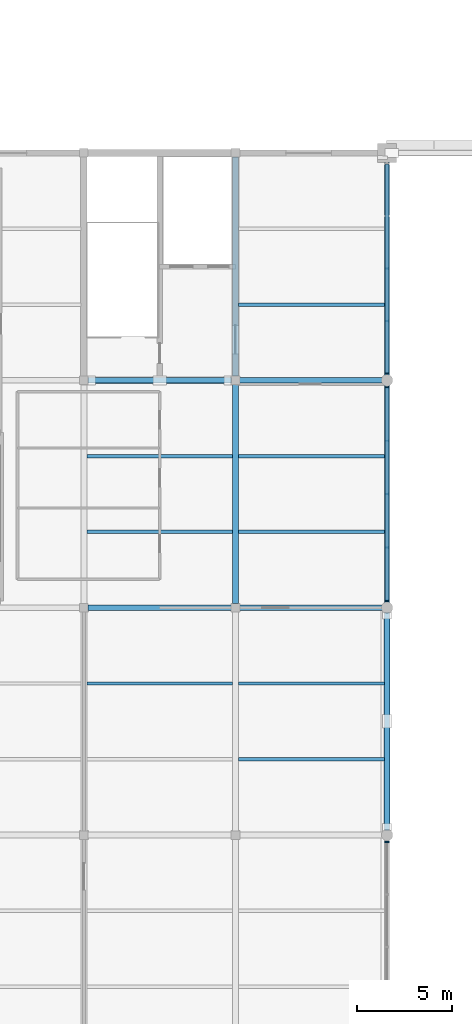
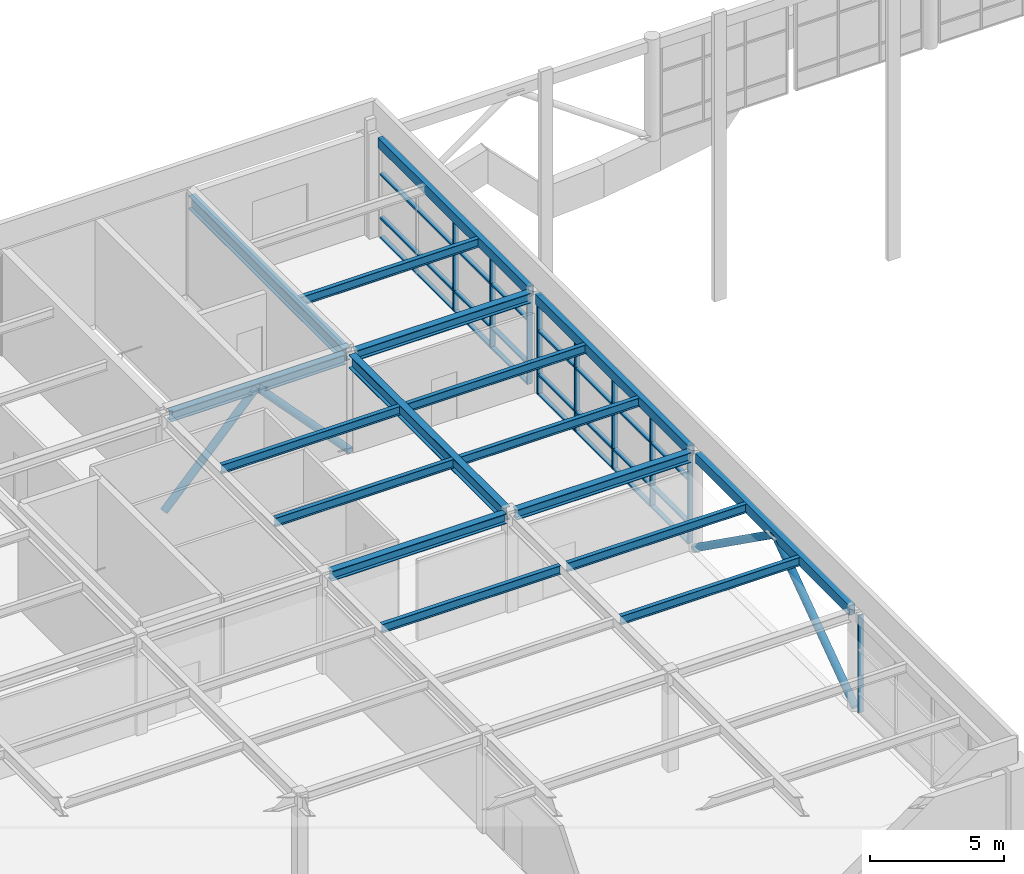
# One storey, part 16 of 63: 21 members, 17 beams, 3 elements without a shape of their own.
"""IFC4 building model written with IfcOpenShell, lengths in metres."""

from ifc_helpers import new_model, si_unit, direction, frame, origin, origin_2d, place, context, subcontext, project, spatial, rectangle, hollow_rectangle, hollow_circle, i_section, extrude, material, layer, layer_set, material_profile, profile_set, type_object, element, aggregate, save


model = new_model("IFC4")

# Units and contexts
model_context = context("Model", 3, precision=1e-05, world=origin(), true_north=direction((0.0, 1.0)))
body_context = subcontext(model_context, "Body", "Model", "MODEL_VIEW")
ifc_project = project(units=[si_unit("LENGTHUNIT", "METRE"), si_unit("AREAUNIT", "SQUARE_METRE"), si_unit("VOLUMEUNIT", "CUBIC_METRE"), si_unit("PLANEANGLEUNIT", "RADIAN"), si_unit("MASSUNIT", "GRAM", prefix="KILO")], contexts=[model_context])

# Site, building, storey
site_placement = place(None, origin())
site = spatial("IfcSite", under=ifc_project, at=site_placement, CompositionType="ELEMENT")
building_placement = place(site_placement, origin())
building = spatial("IfcBuilding", under=site, at=building_placement, Name="Keelwater Ferry Terminal", CompositionType="ELEMENT")
storey_placement = place(building_placement, frame((0.0, 0.0, 10.199951171875)))
storey = spatial("IfcBuildingStorey", under=building, at=storey_placement, Name="L02", CompositionType="ELEMENT", Elevation=10.199951171875)

# Members
ifc_material_1 = material(Name="Steel S355", Category="steel")
ifc_material_profile_1 = material_profile(ifc_material_1, hollow_circle(Radius=0.161865234375, WallThickness=0.012451171875, at=origin_2d()), Name="CHS 323.9x12.5")
ifc_profile_set_1 = profile_set([ifc_material_profile_1], Name="Steel S355")
member_type_1 = type_object("IfcMemberType", Name="BR1 CHS 323.9x12.5", PredefinedType="BRACE", material=ifc_profile_set_1)
for number, where, z_axis, x_axis, name in (
    (1, (32.0, 78.0, 0.0), (0.683655146647, 0.0, 0.729805207205), (0.0, 1.0, 0.0), "Structural Member MB-L02-0541"),
    (2, (40.0, 78.0, 0.0), (-0.683655146647, 0.0, 0.729805207205), (0.0, -1.0, 0.0), "Structural Member MB-L02-0542"),
):
    element("IfcMember", number, at=place(storey_placement, frame(where, z_axis=z_axis, x_axis=x_axis)), inside=storey, type_object=member_type_1, Name=name, PredefinedType="BRACE", context=body_context, shape_type="SweptSolid", body=[
        extrude(hollow_circle(Radius=0.161865234375, WallThickness=0.012451171875, at=origin_2d()), origin(), (0.0, 0.0, 1.0), 5.850830078125),
    ])
for number, where, z_axis, x_axis, name in (
    (3, (48.0, 54.0, 0.0), (0.0, 0.814740243451, 0.579826125405), (-1.0, 0.0, 0.0), "Structural Member MB-L02-0553"),
    (4, (48.0, 66.0, 0.0), (0.0, -0.814740243451, 0.579826125405), (1.0, 0.0, 0.0), "Structural Member MB-L02-0554"),
):
    element("IfcMember", number, at=place(storey_placement, frame(where, z_axis=z_axis, x_axis=x_axis)), inside=storey, type_object=member_type_1, Name=name, PredefinedType="BRACE", context=body_context, shape_type="SweptSolid", body=[
        extrude(hollow_circle(Radius=0.161865234375, WallThickness=0.012451171875, at=origin_2d()), origin(), (0.0, 0.0, 1.0), 7.3642578125),
    ])

# Curtain wall, member
ifc_material_2 = material(Name="Thermally broken unitised aluminium and triple glass", Category="aluminium")
ifc_layer_1 = layer(ifc_material_2, 0.179931640625)
ifc_layer_set_1 = layer_set([ifc_layer_1], Name="Thermally broken unitised aluminium and triple glass")
curtain_wall_type_1 = type_object("IfcCurtainWallType", Name="CW-14 Unitised Curtain Wall 11050x4450", PredefinedType="USERDEFINED", material=ifc_layer_set_1)
curtain_wall_1_placement = place(storey_placement, origin())
curtain_wall_1 = element("IfcCurtainWall", 5, at=curtain_wall_1_placement, inside=storey, type_object=curtain_wall_type_1, Name="Unitised Curtain Wall CW-L02-071", ObjectType="UNITISED CURTAIN WALL", PredefinedType="USERDEFINED")
ifc_material_3 = material(Name="Aluminium mullion", Category="aluminium")
ifc_material_profile_2 = material_profile(ifc_material_3, rectangle(XDim=0.074951171875, YDim=0.219970703125, at=origin_2d()), Name="CWM-02")
ifc_profile_set_2 = profile_set([ifc_material_profile_2], Name="Aluminium mullion")
member_type_2 = type_object("IfcMemberType", Name="CWM-02 Curtain Mullion 75x220", PredefinedType="MULLION", material=ifc_profile_set_2)
member_1_placement = place(storey_placement, frame((48.0, 53.625, 0.0), z_axis=(0.0, 0.0, 1.0), x_axis=(0.0, 1.0, 0.0)))
member_1 = element("IfcMember", 6, at=member_1_placement, type_object=member_type_2, Name="CW-L02-071 Mullion 5", PredefinedType="MULLION", context=body_context, shape_type="SweptSolid", body=[
    extrude(rectangle(XDim=0.074951171875, YDim=0.219970703125, at=origin_2d()), origin(), (0.0, 0.0, 1.0), 4.449951171875),
])
aggregate(curtain_wall_1, [member_1])

# Curtain wall, members
ifc_material_4 = material(Name="Thermally broken unitised aluminium and triple glass", Category="aluminium")
ifc_layer_2 = layer(ifc_material_4, 0.179931640625)
ifc_layer_set_2 = layer_set([ifc_layer_2], Name="Thermally broken unitised aluminium and triple glass")
curtain_wall_type_2 = type_object("IfcCurtainWallType", Name="CW-15 Unitised Curtain Wall 11250x4450", PredefinedType="USERDEFINED", material=ifc_layer_set_2)
curtain_wall_2_placement = place(storey_placement, origin())
curtain_wall_2 = element("IfcCurtainWall", 7, at=curtain_wall_2_placement, inside=storey, type_object=curtain_wall_type_2, Name="Unitised Curtain Wall CW-L02-072", ObjectType="UNITISED CURTAIN WALL", PredefinedType="USERDEFINED")
member_2_placement = place(storey_placement, frame((48.0, 66.375, 0.0), z_axis=(0.0, 0.0, 1.0), x_axis=(0.0, 1.0, 0.0)))
member_2 = element("IfcMember", 8, at=member_2_placement, type_object=member_type_2, Name="CW-L02-072 Mullion 1", PredefinedType="MULLION", context=body_context, shape_type="SweptSolid", body=[
    extrude(rectangle(XDim=0.074951171875, YDim=0.219970703125, at=origin_2d()), origin(), (0.0, 0.0, 1.0), 4.449951171875),
])
member_3_placement = place(storey_placement, frame((48.0, 69.1875, 0.0), z_axis=(0.0, 0.0, 1.0), x_axis=(0.0, 1.0, 0.0)))
member_3 = element("IfcMember", 9, at=member_3_placement, type_object=member_type_2, Name="CW-L02-072 Mullion 2", PredefinedType="MULLION", context=body_context, shape_type="SweptSolid", body=[
    extrude(rectangle(XDim=0.074951171875, YDim=0.219970703125, at=origin_2d()), origin(), (0.0, 0.0, 1.0), 4.449951171875),
])
member_4_placement = place(storey_placement, frame((48.0, 72.0, 0.0), z_axis=(0.0, 0.0, 1.0), x_axis=(0.0, 1.0, 0.0)))
member_4 = element("IfcMember", 10, at=member_4_placement, type_object=member_type_2, Name="CW-L02-072 Mullion 3", PredefinedType="MULLION", context=body_context, shape_type="SweptSolid", body=[
    extrude(rectangle(XDim=0.074951171875, YDim=0.219970703125, at=origin_2d()), origin(), (0.0, 0.0, 1.0), 4.449951171875),
])
member_5_placement = place(storey_placement, frame((48.0, 74.8125, 0.0), z_axis=(0.0, 0.0, 1.0), x_axis=(0.0, 1.0, 0.0)))
member_5 = element("IfcMember", 11, at=member_5_placement, type_object=member_type_2, Name="CW-L02-072 Mullion 4", PredefinedType="MULLION", context=body_context, shape_type="SweptSolid", body=[
    extrude(rectangle(XDim=0.074951171875, YDim=0.219970703125, at=origin_2d()), origin(), (0.0, 0.0, 1.0), 4.449951171875),
])
member_6_placement = place(storey_placement, frame((48.0, 77.625, 0.0), z_axis=(0.0, 0.0, 1.0), x_axis=(0.0, 1.0, 0.0)))
member_6 = element("IfcMember", 12, at=member_6_placement, type_object=member_type_2, Name="CW-L02-072 Mullion 5", PredefinedType="MULLION", context=body_context, shape_type="SweptSolid", body=[
    extrude(rectangle(XDim=0.074951171875, YDim=0.219970703125, at=origin_2d()), origin(), (0.0, 0.0, 1.0), 4.449951171875),
])

curtain_wall_3_placement = place(storey_placement, origin())
curtain_wall_3 = element("IfcCurtainWall", 13, at=curtain_wall_3_placement, inside=storey, type_object=curtain_wall_type_1, Name="Unitised Curtain Wall CW-L02-073", ObjectType="UNITISED CURTAIN WALL", PredefinedType="USERDEFINED")
member_7_placement = place(storey_placement, frame((48.0, 78.375, 0.0), z_axis=(0.0, 0.0, 1.0), x_axis=(0.0, 1.0, 0.0)))
member_7 = element("IfcMember", 14, at=member_7_placement, type_object=member_type_2, Name="CW-L02-073 Mullion 1", PredefinedType="MULLION", context=body_context, shape_type="SweptSolid", body=[
    extrude(rectangle(XDim=0.074951171875, YDim=0.219970703125, at=origin_2d()), origin(), (0.0, 0.0, 1.0), 4.449951171875),
])
member_8_placement = place(storey_placement, frame((48.0, 81.137451171875, 0.0), z_axis=(0.0, 0.0, 1.0), x_axis=(0.0, 1.0, 0.0)))
member_8 = element("IfcMember", 15, at=member_8_placement, type_object=member_type_2, Name="CW-L02-073 Mullion 2", PredefinedType="MULLION", context=body_context, shape_type="SweptSolid", body=[
    extrude(rectangle(XDim=0.074951171875, YDim=0.219970703125, at=origin_2d()), origin(), (0.0, 0.0, 1.0), 4.449951171875),
])
member_9_placement = place(storey_placement, frame((48.0, 83.89990234375, 0.0), z_axis=(0.0, 0.0, 1.0), x_axis=(0.0, 1.0, 0.0)))
member_9 = element("IfcMember", 16, at=member_9_placement, type_object=member_type_2, Name="CW-L02-073 Mullion 3", PredefinedType="MULLION", context=body_context, shape_type="SweptSolid", body=[
    extrude(rectangle(XDim=0.074951171875, YDim=0.219970703125, at=origin_2d()), origin(), (0.0, 0.0, 1.0), 4.449951171875),
])

# Member
ifc_material_5 = material(Name="Aluminium mullion", Category="aluminium")
ifc_material_profile_3 = material_profile(ifc_material_5, rectangle(XDim=0.199951171875, YDim=0.074951171875, at=origin_2d()), Name="CWT-02")
ifc_profile_set_3 = profile_set([ifc_material_profile_3], Name="Aluminium mullion")
member_type_3 = type_object("IfcMemberType", Name="CWT-02 Curtain Transom 75x200", PredefinedType="USERDEFINED", material=ifc_profile_set_3)
member_10_placement = place(storey_placement, frame((48.0, 66.375, 0.0), z_axis=(0.0, 1.0, 0.0), x_axis=(-1.0, 0.0, 0.0)))
member_10 = element("IfcMember", 17, at=member_10_placement, type_object=member_type_3, Name="CW-L02-072 Transom 1", ObjectType="TRANSOM", PredefinedType="USERDEFINED", context=body_context, shape_type="SweptSolid", body=[
    extrude(rectangle(XDim=0.199951171875, YDim=0.074951171875, at=origin_2d()), origin(), (0.0, 0.0, 1.0), 11.25),
])

member_11_placement = place(storey_placement, frame((48.0, 66.375, 0.900146484375), z_axis=(0.0, 1.0, 0.0), x_axis=(-1.0, 0.0, 0.0)))
member_11 = element("IfcMember", 18, at=member_11_placement, type_object=member_type_3, Name="CW-L02-072 Transom 2", ObjectType="TRANSOM", PredefinedType="USERDEFINED", context=body_context, shape_type="SweptSolid", body=[
    extrude(rectangle(XDim=0.199951171875, YDim=0.074951171875, at=origin_2d()), origin(), (0.0, 0.0, 1.0), 11.25),
])

member_12_placement = place(storey_placement, frame((48.0, 66.375, 2.900146484375), z_axis=(0.0, 1.0, 0.0), x_axis=(-1.0, 0.0, 0.0)))
member_12 = element("IfcMember", 19, at=member_12_placement, type_object=member_type_3, Name="CW-L02-072 Transom 3", ObjectType="TRANSOM", PredefinedType="USERDEFINED", context=body_context, shape_type="SweptSolid", body=[
    extrude(rectangle(XDim=0.199951171875, YDim=0.074951171875, at=origin_2d()), origin(), (0.0, 0.0, 1.0), 11.25),
])

member_13_placement = place(storey_placement, frame((48.0, 66.375, 4.449951171875), z_axis=(0.0, 1.0, 0.0), x_axis=(-1.0, 0.0, 0.0)))
member_13 = element("IfcMember", 20, at=member_13_placement, type_object=member_type_3, Name="CW-L02-072 Transom 4", ObjectType="TRANSOM", PredefinedType="USERDEFINED", context=body_context, shape_type="SweptSolid", body=[
    extrude(rectangle(XDim=0.199951171875, YDim=0.074951171875, at=origin_2d()), origin(), (0.0, 0.0, 1.0), 11.25),
])

aggregate(curtain_wall_2, [member_2, member_3, member_4, member_5, member_6, member_10, member_11, member_12, member_13])

member_14_placement = place(storey_placement, frame((48.0, 78.375, 0.0), z_axis=(0.0, 1.0, 0.0), x_axis=(-1.0, 0.0, 0.0)))
member_14 = element("IfcMember", 21, at=member_14_placement, type_object=member_type_3, Name="CW-L02-073 Transom 1", ObjectType="TRANSOM", PredefinedType="USERDEFINED", context=body_context, shape_type="SweptSolid", body=[
    extrude(rectangle(XDim=0.199951171875, YDim=0.074951171875, at=origin_2d()), origin(), (0.0, 0.0, 1.0), 11.050048828125),
])

member_15_placement = place(storey_placement, frame((48.0, 78.375, 0.900146484375), z_axis=(0.0, 1.0, 0.0), x_axis=(-1.0, 0.0, 0.0)))
member_15 = element("IfcMember", 22, at=member_15_placement, type_object=member_type_3, Name="CW-L02-073 Transom 2", ObjectType="TRANSOM", PredefinedType="USERDEFINED", context=body_context, shape_type="SweptSolid", body=[
    extrude(rectangle(XDim=0.199951171875, YDim=0.074951171875, at=origin_2d()), origin(), (0.0, 0.0, 1.0), 11.050048828125),
])

member_16_placement = place(storey_placement, frame((48.0, 78.375, 2.900146484375), z_axis=(0.0, 1.0, 0.0), x_axis=(-1.0, 0.0, 0.0)))
member_16 = element("IfcMember", 23, at=member_16_placement, type_object=member_type_3, Name="CW-L02-073 Transom 3", ObjectType="TRANSOM", PredefinedType="USERDEFINED", context=body_context, shape_type="SweptSolid", body=[
    extrude(rectangle(XDim=0.199951171875, YDim=0.074951171875, at=origin_2d()), origin(), (0.0, 0.0, 1.0), 11.050048828125),
])

member_17_placement = place(storey_placement, frame((48.0, 78.375, 4.449951171875), z_axis=(0.0, 1.0, 0.0), x_axis=(-1.0, 0.0, 0.0)))
member_17 = element("IfcMember", 24, at=member_17_placement, type_object=member_type_3, Name="CW-L02-073 Transom 4", ObjectType="TRANSOM", PredefinedType="USERDEFINED", context=body_context, shape_type="SweptSolid", body=[
    extrude(rectangle(XDim=0.199951171875, YDim=0.074951171875, at=origin_2d()), origin(), (0.0, 0.0, 1.0), 11.050048828125),
])

aggregate(curtain_wall_3, [member_7, member_8, member_9, member_14, member_15, member_16, member_17])

# Beams
ifc_material_6 = material(Name="Steel S355", Category="steel")
ifc_material_profile_4 = material_profile(ifc_material_6, i_section(OverallWidth=0.300048828125, OverallDepth=0.60009765625, WebThickness=0.015380859375, FlangeThickness=0.030029296875, at=origin_2d()), Name="HEB 600")
ifc_profile_set_4 = profile_set([ifc_material_profile_4], Name="Steel S355")
beam_type_1 = type_object("IfcBeamType", Name="G3 HEB 600", PredefinedType="BEAM", material=ifc_profile_set_4)
for number, where, z_axis, x_axis, name in (
    (25, (40.0, 66.219970703125, 4.219970703125), (0.0, 1.0, 0.0), (-1.0, 0.0, 0.0), "Beam BM-L02-1086"),
    (26, (40.0, 78.219970703125, 4.219970703125), (0.0, 1.0, 0.0), (-1.0, 0.0, 0.0), "Beam BM-L02-1087"),
):
    element("IfcBeam", number, at=place(storey_placement, frame(where, z_axis=z_axis, x_axis=x_axis)), inside=storey, type_object=beam_type_1, Name=name, PredefinedType="BEAM", context=body_context, shape_type="SweptSolid", body=[
        extrude(i_section(OverallWidth=0.300048828125, OverallDepth=0.60009765625, WebThickness=0.015380859375, FlangeThickness=0.030029296875, at=origin_2d()), origin(), (0.0, 0.0, 1.0), 11.56005859375),
    ])
ifc_material_7 = material(Name="Steel S355", Category="steel")
ifc_material_profile_5 = material_profile(ifc_material_7, i_section(OverallWidth=0.300048828125, OverallDepth=0.449951171875, WebThickness=0.013916015625, FlangeThickness=0.02587890625, at=origin_2d()), Name="HEB 450")
ifc_profile_set_5 = profile_set([ifc_material_profile_5], Name="Steel S355")
beam_type_2 = type_object("IfcBeamType", Name="G6 HEB 450", PredefinedType="BEAM", material=ifc_profile_set_5)
beam_1_placement = place(storey_placement, frame((32.219970703125, 66.0, 4.295166015625), z_axis=(1.0, 0.0, 0.0), x_axis=(0.0, 1.0, 0.0)))
element("IfcBeam", 27, at=beam_1_placement, inside=storey, type_object=beam_type_2, Name="Beam BM-L02-1010", PredefinedType="BEAM", context=body_context, shape_type="SweptSolid", body=[
    extrude(i_section(OverallWidth=0.300048828125, OverallDepth=0.449951171875, WebThickness=0.013916015625, FlangeThickness=0.02587890625, at=origin_2d()), origin(), (0.0, 0.0, 1.0), 7.56005859375),
])
beam_2_placement = place(storey_placement, frame((40.219970703125, 66.0, 4.295166015625), z_axis=(1.0, 0.0, 0.0), x_axis=(0.0, 1.0, 0.0)))
element("IfcBeam", 28, at=beam_2_placement, inside=storey, type_object=beam_type_2, Name="Beam BM-L02-1011", PredefinedType="BEAM", context=body_context, shape_type="SweptSolid", body=[
    extrude(i_section(OverallWidth=0.300048828125, OverallDepth=0.449951171875, WebThickness=0.013916015625, FlangeThickness=0.02587890625, at=origin_2d()), origin(), (0.0, 0.0, 1.0), 7.533935546875),
])
beam_3_placement = place(storey_placement, frame((32.219970703125, 78.0, 4.295166015625), z_axis=(1.0, 0.0, 0.0), x_axis=(0.0, 1.0, 0.0)))
element("IfcBeam", 29, at=beam_3_placement, inside=storey, type_object=beam_type_2, Name="Beam BM-L02-1021", PredefinedType="BEAM", context=body_context, shape_type="SweptSolid", body=[
    extrude(i_section(OverallWidth=0.300048828125, OverallDepth=0.449951171875, WebThickness=0.013916015625, FlangeThickness=0.02587890625, at=origin_2d()), origin(), (0.0, 0.0, 1.0), 7.56005859375),
])
beam_4_placement = place(storey_placement, frame((40.219970703125, 78.0, 4.295166015625), z_axis=(1.0, 0.0, 0.0), x_axis=(0.0, 1.0, 0.0)))
element("IfcBeam", 30, at=beam_4_placement, inside=storey, type_object=beam_type_2, Name="Beam BM-L02-1022", PredefinedType="BEAM", context=body_context, shape_type="SweptSolid", body=[
    extrude(i_section(OverallWidth=0.300048828125, OverallDepth=0.449951171875, WebThickness=0.013916015625, FlangeThickness=0.02587890625, at=origin_2d()), origin(), (0.0, 0.0, 1.0), 7.533935546875),
])
ifc_material_8 = material(Name="Steel S355", Category="steel")
ifc_material_profile_6 = material_profile(ifc_material_8, i_section(OverallWidth=0.179931640625, OverallDepth=0.39990234375, WebThickness=0.008544921875, FlangeThickness=0.013427734375, at=origin_2d()), Name="IPE 400")
ifc_profile_set_6 = profile_set([ifc_material_profile_6], Name="Steel S355")
beam_type_3 = type_object("IfcBeamType", Name="J5 IPE 400", PredefinedType="JOIST", material=ifc_profile_set_6)
for number, where, z_axis, x_axis, name in (
    (31, (32.14990234375, 62.0, 4.320068359375), (1.0, 0.0, 0.0), (0.0, 1.0, 0.0), "Beam BM-L02-1165"),
    (32, (32.14990234375, 70.0, 4.320068359375), (1.0, 0.0, 0.0), (0.0, 1.0, 0.0), "Beam BM-L02-1166"),
    (33, (32.14990234375, 74.0, 4.320068359375), (1.0, 0.0, 0.0), (0.0, 1.0, 0.0), "Beam BM-L02-1167"),
):
    element("IfcBeam", number, at=place(storey_placement, frame(where, z_axis=z_axis, x_axis=x_axis)), inside=storey, type_object=beam_type_3, Name=name, PredefinedType="JOIST", context=body_context, shape_type="SweptSolid", body=[
        extrude(i_section(OverallWidth=0.179931640625, OverallDepth=0.39990234375, WebThickness=0.008544921875, FlangeThickness=0.013427734375, at=origin_2d()), origin(), (0.0, 0.0, 1.0), 7.7001953125),
    ])
for number, where, z_axis, x_axis, name in (
    (34, (40.14990234375, 58.0, 4.320068359375), (1.0, 0.0, 0.0), (0.0, 1.0, 0.0), "Beam BM-L02-1170"),
    (35, (40.14990234375, 62.0, 4.320068359375), (1.0, 0.0, 0.0), (0.0, 1.0, 0.0), "Beam BM-L02-1171"),
    (36, (40.14990234375, 70.0, 4.320068359375), (1.0, 0.0, 0.0), (0.0, 1.0, 0.0), "Beam BM-L02-1172"),
    (37, (40.14990234375, 74.0, 4.320068359375), (1.0, 0.0, 0.0), (0.0, 1.0, 0.0), "Beam BM-L02-1173"),
    (38, (40.14990234375, 82.0, 4.320068359375), (1.0, 0.0, 0.0), (0.0, 1.0, 0.0), "Beam BM-L02-1174"),
):
    element("IfcBeam", number, at=place(storey_placement, frame(where, z_axis=z_axis, x_axis=x_axis)), inside=storey, type_object=beam_type_3, Name=name, PredefinedType="JOIST", context=body_context, shape_type="SweptSolid", body=[
        extrude(i_section(OverallWidth=0.179931640625, OverallDepth=0.39990234375, WebThickness=0.008544921875, FlangeThickness=0.013427734375, at=origin_2d()), origin(), (0.0, 0.0, 1.0), 7.72509765625),
    ])
ifc_material_9 = material(Name="Steel S355", Category="steel")
ifc_material_profile_7 = material_profile(ifc_material_9, hollow_rectangle(XDim=0.25, YDim=0.449951171875, WallThickness=0.01611328125, at=origin_2d()), Name="RHS 450x250x16")
ifc_profile_set_7 = profile_set([ifc_material_profile_7], Name="Steel S355")
beam_type_4 = type_object("IfcBeamType", Name="RB2E RHS 450x250x16", PredefinedType="SPANDREL", material=ifc_profile_set_7)
for number, where, z_axis, x_axis, name in (
    (39, (48.0, 54.24609375, 4.295166015625), (0.0, 1.0, 0.0), (-1.0, 0.0, 0.0), "Beam BM-L02-1089"),
    (40, (48.0, 66.24609375, 4.295166015625), (0.0, 1.0, 0.0), (-1.0, 0.0, 0.0), "Beam BM-L02-1090"),
):
    element("IfcBeam", number, at=place(storey_placement, frame(where, z_axis=z_axis, x_axis=x_axis)), inside=storey, type_object=beam_type_4, Name=name, PredefinedType="SPANDREL", context=body_context, shape_type="SweptSolid", body=[
        extrude(hollow_rectangle(XDim=0.25, YDim=0.449951171875, WallThickness=0.01611328125, at=origin_2d()), origin(), (0.0, 0.0, 1.0), 11.5078125),
    ])
beam_5_placement = place(storey_placement, frame((48.0, 78.24609375, 4.295166015625), z_axis=(0.0, 1.0, 0.0), x_axis=(-1.0, 0.0, 0.0)))
element("IfcBeam", 41, at=beam_5_placement, inside=storey, type_object=beam_type_4, Name="Beam BM-L02-1091", PredefinedType="SPANDREL", context=body_context, shape_type="SweptSolid", body=[
    extrude(hollow_rectangle(XDim=0.25, YDim=0.449951171875, WallThickness=0.01611328125, at=origin_2d()), origin(), (0.0, 0.0, 1.0), 11.263916015625),
])

save(model, "model.ifc")
